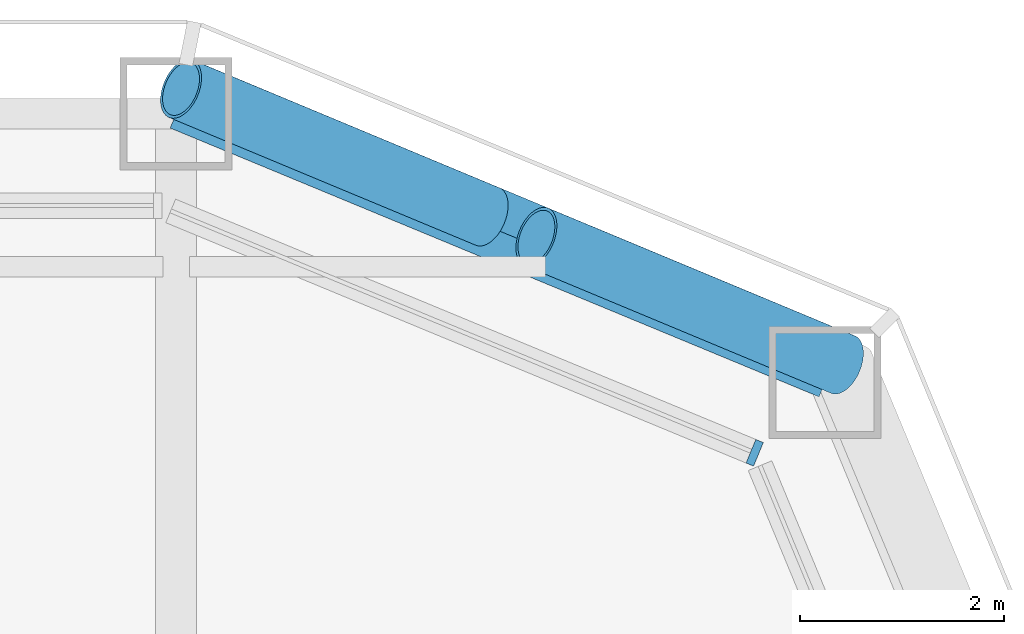
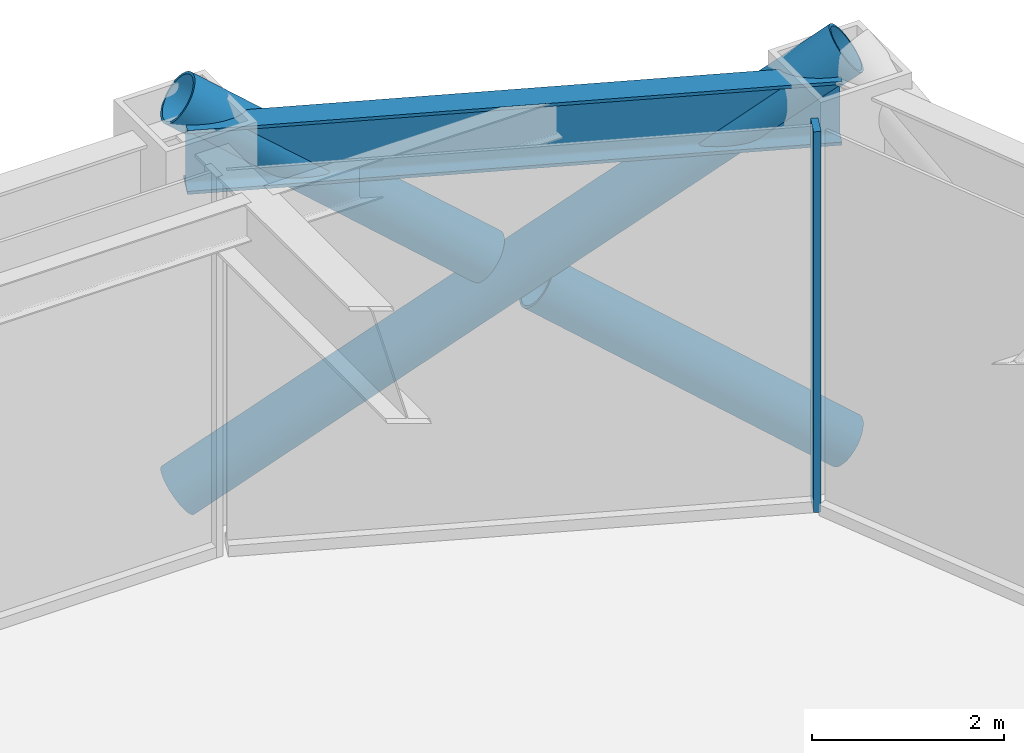
# One storey, part 10 of 25: 4 members, 1 beam, 1 element without a shape of its own.
"""IFC4 building model written with IfcOpenShell, lengths in metres."""

import ifcopenshell
import ifcopenshell.guid

model = None  # the IFC model being written
_history = None  # IfcOwnerHistory: only IFC2X3 demands one
_inside = {}  # id of a spatial element -> (the spatial element, [elements in it])
_under = {}  # id of a project, library or spatial element -> (it, [spatial elements below it])
_declared = {}  # id of a project -> (the project, [libraries it declares])
_typed = {}  # id of a type object -> (the type object, [elements of that type])
_made_of = {}  # id of a material, layer set ... -> (it, [elements and type objects made of it])


def new_model(schema):
    """Start an empty IFC model of exactly this schema.

    Asked for "IFC4X3", IfcOpenShell would pick the latest addendum, in which some entities
    have other attributes; the version numbers below select the first issue.
    IFC2X3 requires an IfcOwnerHistory on every rooted entity: one is made here for all.
    """
    global model, _history
    if schema == "IFC4X3":
        model = ifcopenshell.file(schema_version=(4, 3, 0, 0))
    else:
        model = ifcopenshell.file(schema=schema)
    _inside.clear()
    _under.clear()
    _declared.clear()
    _typed.clear()
    _made_of.clear()
    _history = None
    if model.schema == "IFC2X3":
        org = make("IfcOrganization", Name="unknown")
        user = make(
            "IfcPersonAndOrganization",
            ThePerson=make("IfcPerson", FamilyName="unknown"),
            TheOrganization=org,
        )
        app = make(
            "IfcApplication",
            ApplicationDeveloper=org,
            Version="unknown",
            ApplicationFullName="unknown",
            ApplicationIdentifier="unknown",
        )
        _history = make(
            "IfcOwnerHistory",
            OwningUser=user,
            OwningApplication=app,
            ChangeAction="ADDED",
            CreationDate=0,
        )
    return model


def make(cls, **values):
    """One entity of the class cls with the attributes given. An attribute that is None is left unset."""
    return model.create_entity(
        cls, **{name: value for name, value in values.items() if value is not None}
    )


def rooted(cls, **values):
    """An entity with a GlobalId (a new one), such as an element, a storey or a relation."""
    return make(cls, GlobalId=ifcopenshell.guid.new(), OwnerHistory=_history, **values)


def si_unit(unit_type, name, prefix=None):
    """IfcSIUnit, for example si_unit("LENGTHUNIT", "METRE", prefix="MILLI")."""
    return make("IfcSIUnit", UnitType=unit_type, Prefix=prefix, Name=name)


def assignment(units):
    """IfcUnitAssignment: the units of a project."""
    return None if units is None else make("IfcUnitAssignment", Units=units)


def point(xyz):
    """IfcCartesianPoint."""
    return None if xyz is None else make("IfcCartesianPoint", Coordinates=xyz)


def direction(xyz):
    """IfcDirection."""
    return None if xyz is None else make("IfcDirection", DirectionRatios=xyz)


def frame(location, z_axis=None, x_axis=None):
    """IfcAxis2Placement3D, a coordinate frame: its origin and axes. An axis left out is left unset."""
    return make(
        "IfcAxis2Placement3D",
        Location=point(location),
        Axis=direction(z_axis),
        RefDirection=direction(x_axis),
    )


def frame_2d(location, x_axis=None):
    """IfcAxis2Placement2D, a coordinate frame in the plane: its origin and x axis."""
    return make(
        "IfcAxis2Placement2D", Location=point(location), RefDirection=direction(x_axis)
    )


def origin():
    """The frame at (0, 0, 0) with its axes left unset."""
    return frame((0.0, 0.0, 0.0))


def origin_2d():
    """The frame at (0, 0) in the plane with its x axis left unset."""
    return frame_2d((0.0, 0.0))


def place(relative_to, where):
    """IfcLocalPlacement: puts the frame where relative to a parent placement (None: the world)."""
    return make(
        "IfcLocalPlacement", PlacementRelTo=relative_to, RelativePlacement=where
    )


def context(
    kind, dimensions, precision=None, world=None, true_north=None, identifier=None
):
    """IfcGeometricRepresentationContext, for example the 3D "Model" context."""
    return make(
        "IfcGeometricRepresentationContext",
        ContextIdentifier=identifier,
        ContextType=kind,
        CoordinateSpaceDimension=dimensions,
        Precision=precision,
        WorldCoordinateSystem=world,
        TrueNorth=true_north,
    )


def subcontext(parent, identifier, kind, view, scale=None):
    """IfcGeometricRepresentationSubContext, for example "Body" below "Model"."""
    return make(
        "IfcGeometricRepresentationSubContext",
        ContextIdentifier=identifier,
        ContextType=kind,
        ParentContext=parent,
        TargetScale=scale,
        TargetView=view,
    )


def project(units=None, contexts=None):
    """IfcProject with its units and contexts."""
    return rooted(
        "IfcProject",
        Name="project",
        RepresentationContexts=contexts,
        UnitsInContext=assignment(units),
    )


def spatial(cls, under=None, at=None, **own):
    """A site, building, storey or space (cls), placed at a placement, below another one or the project."""
    s = rooted(cls, ObjectPlacement=at, **own)
    if under is not None:
        _under.setdefault(under.id(), (under, []))[1].append(s)
    return s


def profile(cls, at=None, kind="AREA", **sizes):
    """A parametric profile (cls). Its sizes go by their IFC names, for example OverallWidth=200.0."""
    return make(cls, ProfileType=kind, Position=at, **sizes)


def rectangle(**sizes):
    """IfcRectangleProfileDef."""
    return profile("IfcRectangleProfileDef", **sizes)


def hollow_circle(**sizes):
    """IfcCircleHollowProfileDef."""
    return profile("IfcCircleHollowProfileDef", **sizes)


def i_section(**sizes):
    """IfcIShapeProfileDef."""
    return profile("IfcIShapeProfileDef", **sizes)


def extrude(swept, where, along, depth):
    """IfcExtrudedAreaSolid: the profile swept, set in the frame where, extruded along a direction by depth."""
    return make(
        "IfcExtrudedAreaSolid",
        SweptArea=swept,
        Position=where,
        ExtrudedDirection=direction(along),
        Depth=depth,
    )


def shape(context_of_items, identifier, shape_type, items):
    """IfcShapeRepresentation: the items that make up one representation, for example the "Body"."""
    return make(
        "IfcShapeRepresentation",
        ContextOfItems=context_of_items,
        RepresentationIdentifier=identifier,
        RepresentationType=shape_type,
        Items=items,
    )


def material(Name=None, Category=None):
    """IfcMaterial."""
    return make("IfcMaterial", Name=Name, Category=Category)


def layer(
    of_material, thickness, ventilated=None, Name=None, Category=None, Priority=None
):
    """IfcMaterialLayer: one layer of a wall or slab, of a material (None: an air gap)."""
    return make(
        "IfcMaterialLayer",
        Material=of_material,
        LayerThickness=thickness,
        IsVentilated=ventilated,
        Name=Name,
        Category=Category,
        Priority=Priority,
    )


def layer_set(layers, Name=None):
    """IfcMaterialLayerSet."""
    return make("IfcMaterialLayerSet", MaterialLayers=layers, LayerSetName=Name)


def material_profile(
    of_material, cross_section, Name=None, Category=None, Priority=None
):
    """IfcMaterialProfile: a cross section and its material."""
    return make(
        "IfcMaterialProfile",
        Name=Name,
        Material=of_material,
        Profile=cross_section,
        Priority=Priority,
        Category=Category,
    )


def profile_set(profiles, Name=None, composite=None):
    """IfcMaterialProfileSet."""
    return make(
        "IfcMaterialProfileSet",
        Name=Name,
        MaterialProfiles=profiles,
        CompositeProfile=composite,
    )


def made_of(thing, what):
    """Note that an element or type object is made of a material, layer set ...; save() writes the relation."""
    if what is not None:
        _made_of.setdefault(what.id(), (what, []))[1].append(thing)
    return thing


def type_object(cls, material=None, **own):
    """A type object (cls), such as IfcWallType, which elements share."""
    return made_of(rooted(cls, **own), material)


def element(
    cls,
    number,
    at=None,
    inside=None,
    cuts=None,
    type_object=None,
    material=None,
    context=None,
    identifier="Body",
    shape_type=None,
    held_by="IfcProductDefinitionShape",
    body=None,
    shapes=None,
    **own,
):
    """One element of the class cls, such as IfcWall. Its Tag is "e" and its number.

    at: its placement. inside: the storey or other place that contains it. cuts: it is an
    opening in that element (IfcRelVoidsElement). A single representation is given by context,
    identifier, shape_type and body (its items); several are given by shapes. held_by: the class
    of the entity that holds the representations. save() writes the other relations.
    """
    e = rooted(cls, Tag="e%d" % number, ObjectPlacement=at, **own)
    if body is not None:
        shapes = [shape(context, identifier, shape_type, body)]
    if shapes is not None:
        e.Representation = make(held_by, Representations=shapes)
    if inside is not None:
        _inside.setdefault(inside.id(), (inside, []))[1].append(e)
    if cuts is not None:
        rooted(
            "IfcRelVoidsElement", RelatingBuildingElement=cuts, RelatedOpeningElement=e
        )
    if type_object is not None:
        _typed.setdefault(type_object.id(), (type_object, []))[1].append(e)
    return made_of(e, material)


def aggregate(whole, parts):
    """IfcRelAggregates: a whole, such as a stair, and the parts it consists of."""
    return rooted("IfcRelAggregates", RelatingObject=whole, RelatedObjects=parts)


def save(model, path):
    """Write the relations noted so far, then the file.

    IfcRelAggregates (storeys below a building ...), IfcRelContainedInSpatialStructure (elements
    in a storey), IfcRelDefinesByType, IfcRelAssociatesMaterial and IfcRelDeclares: one each for
    every whole, place, type object, material and project.
    """
    for whole, parts in _under.values():
        aggregate(whole, parts)
    for where, things in _inside.values():
        rooted(
            "IfcRelContainedInSpatialStructure",
            RelatedElements=things,
            RelatingStructure=where,
        )
    for kind, things in _typed.values():
        rooted("IfcRelDefinesByType", RelatedObjects=things, RelatingType=kind)
    for what, things in _made_of.values():
        rooted("IfcRelAssociatesMaterial", RelatedObjects=things, RelatingMaterial=what)
    for by, libraries in _declared.values():
        rooted("IfcRelDeclares", RelatingContext=by, RelatedDefinitions=libraries)
    model.write(path)


model = new_model("IFC4")

# Units and contexts
model_context = context("Model", 3, precision=1e-05, world=origin(), true_north=direction((0.0, 1.0)))
body_context = subcontext(model_context, "Body", "Model", "MODEL_VIEW")
ifc_project = project(units=[si_unit("LENGTHUNIT", "METRE"), si_unit("AREAUNIT", "SQUARE_METRE"), si_unit("VOLUMEUNIT", "CUBIC_METRE"), si_unit("PLANEANGLEUNIT", "RADIAN"), si_unit("MASSUNIT", "GRAM", prefix="KILO")], contexts=[model_context])

# Site, building, storey
site_placement = place(None, origin())
site = spatial("IfcSite", under=ifc_project, at=site_placement, CompositionType="ELEMENT")
building_placement = place(site_placement, origin())
building = spatial("IfcBuilding", under=site, at=building_placement, Name="Siwar Civic Tower", CompositionType="ELEMENT")
storey_placement = place(building_placement, frame((0.0, 0.0, 17.199951171875)))
storey = spatial("IfcBuildingStorey", under=building, at=storey_placement, Name="L03", CompositionType="ELEMENT", Elevation=17.199951171875)

# Curtain wall, member
ifc_material_1 = material(Name="Aluminium clad insulated panel", Category="aluminium")
ifc_layer = layer(ifc_material_1, 0.25)
ifc_layer_set = layer_set([ifc_layer], Name="Aluminium clad insulated panel")
curtain_wall_type = type_object("IfcCurtainWallType", Name="ENV-CW-HX", PredefinedType="NOTDEFINED", material=ifc_layer_set)
curtain_wall_placement = place(storey_placement, origin())
curtain_wall = element("IfcCurtainWall", 1, at=curtain_wall_placement, inside=storey, type_object=curtain_wall_type, Name="Curtain wall H NE2", PredefinedType="NOTDEFINED")
ifc_material_2 = material(Name="Aluminium 6063-T6", Category="aluminium")
ifc_material_profile_1 = material_profile(ifc_material_2, rectangle(XDim=0.25, YDim=0.080078125, at=origin_2d()), Name="AL 250x80")
ifc_profile_set_1 = profile_set([ifc_material_profile_1], Name="Aluminium 6063-T6")
member_type_1 = type_object("IfcMemberType", Name="ENV-MULLION-H", PredefinedType="MULLION", material=ifc_profile_set_1)
member_1_placement = place(storey_placement, frame((28.175048828125, 28.175048828125, 0.0), z_axis=(0.0, 0.0, 1.0), x_axis=(-0.382683432365, -0.923879532511, 0.0)))
member_1 = element("IfcMember", 2, at=member_1_placement, type_object=member_type_1, Name="Mullion H NE2 1", PredefinedType="MULLION", context=body_context, shape_type="SweptSolid", body=[
    extrude(rectangle(XDim=0.25, YDim=0.080078125, at=origin_2d()), origin(), (0.0, 0.0, 1.0), 4.85009765625),
])
aggregate(curtain_wall, [member_1])

# Members
ifc_material_3 = material(Name="Steel S355", Category="steel")
ifc_material_profile_2 = material_profile(ifc_material_3, hollow_circle(Radius=0.304931640625, WallThickness=0.030029296875, at=origin_2d()), Name="CHS610x30")
ifc_profile_set_2 = profile_set([ifc_material_profile_2], Name="Steel S355")
member_type_2 = type_object("IfcMemberType", Name="STR-BR-CHS610x30", PredefinedType="BRACE", material=ifc_profile_set_2)
member_2_placement = place(storey_placement, frame((22.548828125, 31.7451171875, 0.0), z_axis=(0.752344350468, -0.313403721941, 0.579444635312), x_axis=(0.384538969033, 0.923108759191, 0.0)))
element("IfcMember", 3, at=member_2_placement, inside=storey, type_object=member_type_2, Name="L03/brc/ANE1-2-0-1", PredefinedType="BRACE", context=body_context, shape_type="SweptSolid", body=[
    extrude(hollow_circle(Radius=0.304931640625, WallThickness=0.030029296875, at=origin_2d()), origin(), (0.0, 0.0, 1.0), 8.62890625),
])
for number, where, z_axis, x_axis, name in (
    (4, (29.040771484375, 29.040771484375, 0.0), (-0.752340560323, 0.313373422739, 0.5794659431), (-0.384508939914, -0.923121267833, 0.0), "L03/brc/ANE1-2-0-2"),
    (5, (25.5556640625, 30.49267578125, 2.684326171875), (-0.752367191316, 0.313384515382, 0.57942536616), (-0.384508939914, -0.923121267833, 0.0), "L03/brc/ANE1-2-0-3"),
):
    element("IfcMember", number, at=place(storey_placement, frame(where, z_axis=z_axis, x_axis=x_axis)), inside=storey, type_object=member_type_2, Name=name, PredefinedType="BRACE", context=body_context, shape_type="SweptSolid", body=[
        extrude(hollow_circle(Radius=0.304931640625, WallThickness=0.030029296875, at=origin_2d()), origin(), (0.0, 0.0, 1.0), 3.99658203125),
    ])

# Beam
ifc_material_4 = material(Name="Steel S355", Category="steel")
ifc_material_profile_3 = material_profile(ifc_material_4, i_section(OverallWidth=0.302978515625, OverallDepth=0.81396484375, WebThickness=0.02099609375, FlangeThickness=0.0400390625, FilletRadius=0.030029296875, at=origin_2d()), Name="HEM800")
ifc_profile_set_3 = profile_set([ifc_material_profile_3], Name="Steel S355")
beam_type = type_object("IfcBeamType", Name="STR-SB-HEM800", PredefinedType="BEAM", material=ifc_profile_set_3)
beam_placement = place(storey_placement, frame((28.864013671875, 28.864013671875, 4.443115234375), z_axis=(-0.923883353507, 0.382674207535, 0.0), x_axis=(-0.382674207535, -0.923883353507, 0.0)))
element("IfcBeam", 6, at=beam_placement, inside=storey, type_object=beam_type, Name="L03/bm/SNE2-0", PredefinedType="BEAM", context=body_context, shape_type="SweptSolid", body=[
    extrude(i_section(OverallWidth=0.302978515625, OverallDepth=0.81396484375, WebThickness=0.02099609375, FlangeThickness=0.0400390625, FilletRadius=0.030029296875, at=origin_2d()), origin(), (0.0, 0.0, 1.0), 6.888427734375),
])

save(model, "model.ifc")
